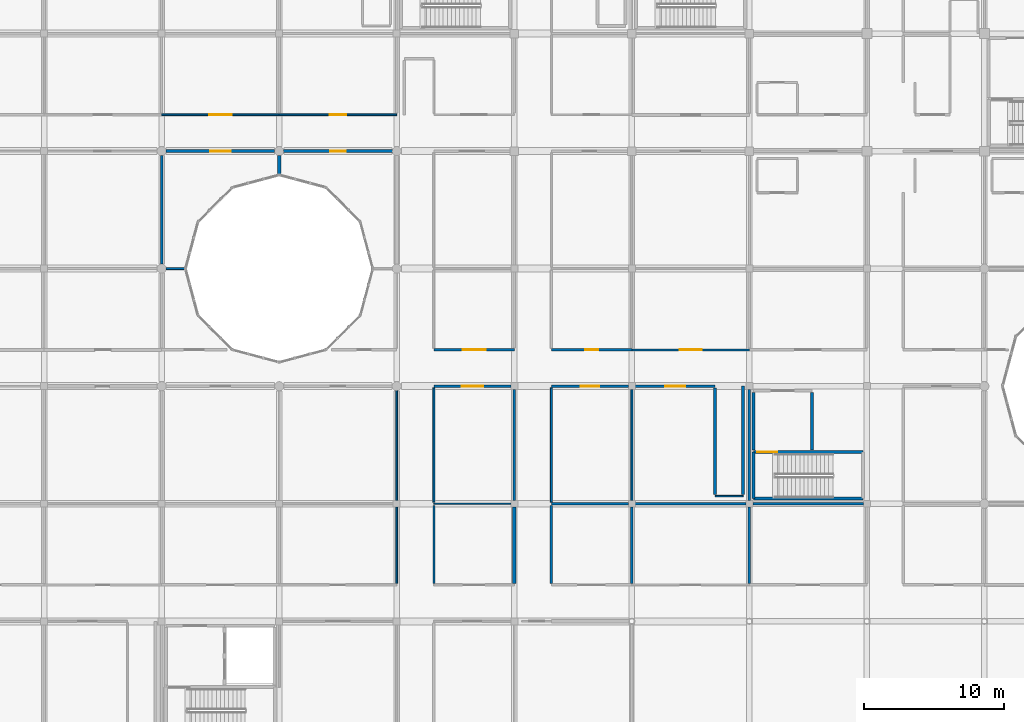
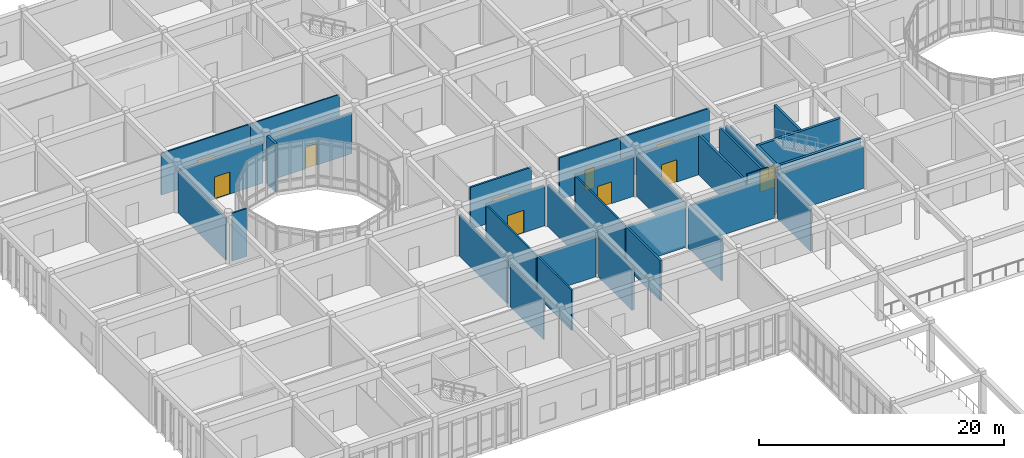
# One storey, part 97 of 134: 37 walls, 11 doors, 11 openings.
"""IFC4 building model written with IfcOpenShell, lengths in metres."""

from ifc_helpers import new_model, si_unit, direction, frame, frame_2d, origin, place, context, subcontext, project, spatial, rectangle, extrude, material, layer, layer_set, type_object, element, fill, save


model = new_model("IFC4")

# Units and contexts
model_context = context("Model", 3, precision=1e-05, world=origin(), true_north=direction((0.0, 1.0)))
body_context = subcontext(model_context, "Body", "Model", "MODEL_VIEW")
ifc_project = project(units=[si_unit("LENGTHUNIT", "METRE"), si_unit("AREAUNIT", "SQUARE_METRE"), si_unit("VOLUMEUNIT", "CUBIC_METRE"), si_unit("PLANEANGLEUNIT", "RADIAN"), si_unit("MASSUNIT", "GRAM", prefix="KILO")], contexts=[model_context])

# Site, building, storey
site_placement = place(None, origin())
site = spatial("IfcSite", under=ifc_project, at=site_placement, CompositionType="ELEMENT")
building_placement = place(site_placement, origin())
building = spatial("IfcBuilding", under=site, at=building_placement, Name="Bramfleet General Hospital", CompositionType="ELEMENT")
storey_placement = place(building_placement, frame((0.0, 0.0, 9.300048828125)))
storey = spatial("IfcBuildingStorey", under=building, at=storey_placement, Name="L02", CompositionType="ELEMENT", Elevation=9.300048828125)

# Wall, opening, door
ifc_material_1 = material(Name="Concrete C35/45", Category="concrete")
ifc_layer_1 = layer(ifc_material_1, 0.219970703125, Name="WT-IW-01")
ifc_layer_set_1 = layer_set([ifc_layer_1], Name="Concrete C35/45")
wall_type_1 = type_object("IfcWallType", Name="WT-IW-01", PredefinedType="PARTITIONING", material=ifc_layer_set_1)
wall_1_placement = place(storey_placement, frame((17.1201171875, 92.39990234375, 0.0), z_axis=(0.0, 0.0, 1.0), x_axis=(1.0, 0.0, 0.0)))
wall_1 = element("IfcWall", 1, at=wall_1_placement, inside=storey, type_object=wall_type_1, Name="L02 Interior Partition IW-L02-2077", PredefinedType="PARTITIONING", context=body_context, shape_type="SweptSolid", body=[
    extrude(rectangle(XDim=7.759765625, YDim=0.219970703125, at=frame_2d((3.8798828125, 0.0))), origin(), (0.0, 0.0, 1.0), 4.02001953125),
])
opening_1_placement = place(wall_1_placement, frame((3.155029296875, 0.0, 0.0)))
opening_1 = element("IfcOpeningElement", 2, at=opening_1_placement, cuts=wall_1, Name="Opening D0867", PredefinedType="OPENING", context=body_context, shape_type="SweptSolid", body=[
    extrude(rectangle(XDim=1.449951171875, YDim=2.199951171875, at=frame_2d((0.72509765625, 1.10009765625))), frame((0.0, 0.119873046875, 0.0), z_axis=(0.0, -1.0, 0.0), x_axis=(1.0, 0.0, 0.0)), (0.0, 0.0, 1.0), 0.239990234375),
])
ifc_material_2 = material(Name="Stainless steel and acoustic timber leaf", Category="steel")
door_type_1 = type_object("IfcDoorType", Name="DR-D-03", OperationType="NOTDEFINED", PredefinedType="DOOR", material=ifc_material_2)
door_1_placement = place(opening_1_placement, origin())
door_1 = element("IfcDoor", 3, at=door_1_placement, inside=storey, type_object=door_type_1, Name="Courtyard Waiting Lounge L02-0210 Door D0867", OperationType="SINGLE_SWING_RIGHT", OverallHeight=2.199951171875, OverallWidth=1.449951171875, PredefinedType="DOOR", context=body_context, shape_type="SweptSolid", body=[
    extrude(rectangle(XDim=1.449951171875, YDim=2.199951171875, at=frame_2d((0.72509765625, 1.10009765625))), frame((0.0, 0.02490234375, 0.0), z_axis=(0.0, -1.0, 0.0), x_axis=(1.0, 0.0, 0.0)), (0.0, 0.0, 1.0), 0.050048828125),
])
fill(opening_1, door_1)

# Walls
wall_2_placement = place(storey_placement, frame((25.199951171875, 90.699951171875, 0.0), z_axis=(0.0, 0.0, 1.0), x_axis=(0.0, 1.0, 0.0)))
element("IfcWall", 4, at=wall_2_placement, inside=storey, type_object=wall_type_1, Name="L02 Interior Partition IW-L02-2221", PredefinedType="PARTITIONING", context=body_context, shape_type="SweptSolid", body=[
    extrude(rectangle(XDim=1.380126953125, YDim=0.219970703125, at=frame_2d((0.68994140625, 0.0))), origin(), (0.0, 0.0, 1.0), 4.77001953125),
])
wall_3_placement = place(storey_placement, frame((42.0, 61.514892578125, 0.0), z_axis=(0.0, 0.0, 1.0), x_axis=(0.0, 1.0, 0.0)))
element("IfcWall", 5, at=wall_3_placement, inside=storey, type_object=wall_type_1, Name="L02 Interior Partition IW-L02-2245", PredefinedType="PARTITIONING", context=body_context, shape_type="SweptSolid", body=[
    extrude(rectangle(XDim=5.440185546875, YDim=0.219970703125, at=frame_2d((2.72021484375, 0.0))), origin(), (0.0, 0.0, 1.0), 4.169921875),
])
ifc_layer_2 = layer(ifc_material_1, 0.205078125, Name="WT-IW-02")
ifc_layer_set_2 = layer_set([ifc_layer_2], Name="Concrete C35/45")
wall_type_2 = type_object("IfcWallType", Name="WT-IW-02", PredefinedType="PARTITIONING", material=ifc_layer_set_2)
wall_4_placement = place(storey_placement, frame((63.280029296875, 71.0400390625, 0.0), z_axis=(0.0, 0.0, 1.0), x_axis=(0.0, 1.0, 0.0)))
element("IfcWall", 6, at=wall_4_placement, inside=storey, type_object=wall_type_2, Name="L02 C13 Lobby East Shaft Wall", PredefinedType="PARTITIONING", context=body_context, shape_type="SweptSolid", body=[
    extrude(rectangle(XDim=4.119873046875, YDim=0.205078125, at=frame_2d((2.06005859375, 0.0))), origin(), (0.0, 0.0, 1.0), 4.77001953125),
])
wall_5_placement = place(storey_placement, frame((59.10009765625, 71.0400390625, 0.0), z_axis=(0.0, 0.0, 1.0), x_axis=(0.0, 1.0, 0.0)))
element("IfcWall", 7, at=wall_5_placement, inside=storey, type_object=wall_type_2, Name="L02 C13 Lobby West Compartment Wall", PredefinedType="PARTITIONING", context=body_context, shape_type="SweptSolid", body=[
    extrude(rectangle(XDim=4.119873046875, YDim=0.205078125, at=frame_2d((2.06005859375, 0.0))), origin(), (0.0, 0.0, 1.0), 4.169921875),
])
wall_6_placement = place(storey_placement, frame((50.64501953125, 67.199951171875, 0.0), z_axis=(0.0, 0.0, 1.0), x_axis=(1.0, 0.0, 0.0)))
element("IfcWall", 8, at=wall_6_placement, inside=storey, type_object=wall_type_2, Name="L02 Interior Partition IW-L02-2006", PredefinedType="PARTITIONING", context=body_context, shape_type="SweptSolid", body=[
    extrude(rectangle(XDim=7.909912109375, YDim=0.205078125, at=frame_2d((3.955078125, 0.0))), origin(), (0.0, 0.0, 1.0), 4.02001953125),
])

# Wall, opening, door
wall_7_placement = place(storey_placement, frame((25.52001953125, 92.39990234375, 0.0), z_axis=(0.0, 0.0, 1.0), x_axis=(1.0, 0.0, 0.0)))
wall_7 = element("IfcWall", 9, at=wall_7_placement, inside=storey, type_object=wall_type_2, Name="L02 Interior Partition IW-L02-2078", PredefinedType="PARTITIONING", context=body_context, shape_type="SweptSolid", body=[
    extrude(rectangle(XDim=7.760009765625, YDim=0.205078125, at=frame_2d((3.8798828125, 0.0))), origin(), (0.0, 0.0, 1.0), 4.02001953125),
])
opening_2_placement = place(wall_7_placement, frame((3.330078125, 0.0, 0.0)))
opening_2 = element("IfcOpeningElement", 10, at=opening_2_placement, cuts=wall_7, Name="Opening D0875", PredefinedType="OPENING", context=body_context, shape_type="SweptSolid", body=[
    extrude(rectangle(XDim=1.10009765625, YDim=2.14990234375, at=frame_2d((0.550048828125, 1.074951171875))), frame((0.0, 0.112548828125, 0.0), z_axis=(0.0, -1.0, 0.0), x_axis=(1.0, 0.0, 0.0)), (0.0, 0.0, 1.0), 0.22509765625),
])
door_type_2 = type_object("IfcDoorType", Name="DR-D-11", OperationType="NOTDEFINED", PredefinedType="DOOR", material=ifc_material_2)
door_2_placement = place(opening_2_placement, origin())
door_2 = element("IfcDoor", 11, at=door_2_placement, inside=storey, type_object=door_type_2, Name="Courtyard Waiting Lounge L02-0310 Door D0875", OperationType="SINGLE_SWING_RIGHT", OverallHeight=2.14990234375, OverallWidth=1.10009765625, PredefinedType="DOOR", context=body_context, shape_type="SweptSolid", body=[
    extrude(rectangle(XDim=1.10009765625, YDim=2.14990234375, at=frame_2d((0.550048828125, 1.074951171875))), frame((0.0, 0.02490234375, 0.0), z_axis=(0.0, -1.0, 0.0), x_axis=(1.0, 0.0, 0.0)), (0.0, 0.0, 1.0), 0.050048828125),
])
fill(opening_2, door_2)

# Walls
wall_8_placement = place(storey_placement, frame((42.0, 67.445068359375, 0.0), z_axis=(0.0, 0.0, 1.0), x_axis=(0.0, 1.0, 0.0)))
element("IfcWall", 12, at=wall_8_placement, inside=storey, type_object=wall_type_2, Name="L02 Interior Partition IW-L02-2246", PredefinedType="PARTITIONING", context=body_context, shape_type="SweptSolid", body=[
    extrude(rectangle(XDim=7.909912109375, YDim=0.205078125, at=frame_2d((3.955078125, 0.0))), origin(), (0.0, 0.0, 1.0), 4.169921875),
])
wall_9_placement = place(storey_placement, frame((56.35009765625, 67.864990234375, 0.0), z_axis=(0.0, 0.0, 1.0), x_axis=(0.0, 1.0, 0.0)))
element("IfcWall", 13, at=wall_9_placement, inside=storey, type_object=wall_type_2, Name="L02 Interior Partition IW-L02-2270", PredefinedType="PARTITIONING", context=body_context, shape_type="SweptSolid", body=[
    extrude(rectangle(XDim=7.6201171875, YDim=0.205078125, at=frame_2d((3.81005859375, 0.0))), origin(), (0.0, 0.0, 1.0), 4.02001953125),
])
ifc_layer_3 = layer(ifc_material_1, 0.18994140625, Name="WT-IW-03")
ifc_layer_set_3 = layer_set([ifc_layer_3], Name="Concrete C35/45")
wall_type_3 = type_object("IfcWallType", Name="WT-IW-03", PredefinedType="PARTITIONING", material=ifc_layer_set_3)
wall_10_placement = place(storey_placement, frame((44.64990234375, 67.199951171875, 0.0), z_axis=(0.0, 0.0, 1.0), x_axis=(1.0, 0.0, 0.0)))
element("IfcWall", 14, at=wall_10_placement, inside=storey, type_object=wall_type_3, Name="L02 Interior Partition IW-L02-2005", PredefinedType="PARTITIONING", context=body_context, shape_type="SweptSolid", body=[
    extrude(rectangle(XDim=5.505126953125, YDim=0.18994140625, at=frame_2d((2.75244140625, 0.0))), origin(), (0.0, 0.0, 1.0), 4.02001953125),
])
wall_11_placement = place(storey_placement, frame((44.64990234375, 61.514892578125, 0.0), z_axis=(0.0, 0.0, 1.0), x_axis=(0.0, 1.0, 0.0)))
element("IfcWall", 15, at=wall_11_placement, inside=storey, type_object=wall_type_3, Name="L02 Interior Partition IW-L02-2251", PredefinedType="PARTITIONING", context=body_context, shape_type="SweptSolid", body=[
    extrude(rectangle(XDim=5.570068359375, YDim=0.18994140625, at=frame_2d((2.78515625, 0.0))), origin(), (0.0, 0.0, 1.0), 4.02001953125),
])
wall_12_placement = place(storey_placement, frame((50.39990234375, 61.514892578125, 0.0), z_axis=(0.0, 0.0, 1.0), x_axis=(0.0, 1.0, 0.0)))
element("IfcWall", 16, at=wall_12_placement, inside=storey, type_object=wall_type_3, Name="L02 Interior Partition IW-L02-2263", PredefinedType="PARTITIONING", context=body_context, shape_type="SweptSolid", body=[
    extrude(rectangle(XDim=5.440185546875, YDim=0.18994140625, at=frame_2d((2.72021484375, 0.0))), origin(), (0.0, 0.0, 1.0), 4.169921875),
])
wall_13_placement = place(storey_placement, frame((58.35009765625, 67.864990234375, 0.0), z_axis=(0.0, 0.0, 1.0), x_axis=(0.0, 1.0, 0.0)))
element("IfcWall", 17, at=wall_13_placement, inside=storey, type_object=wall_type_3, Name="L02 Interior Partition IW-L02-2271", PredefinedType="PARTITIONING", context=body_context, shape_type="SweptSolid", body=[
    extrude(rectangle(XDim=7.735107421875, YDim=0.18994140625, at=frame_2d((3.86767578125, 0.0))), origin(), (0.0, 0.0, 1.0), 4.02001953125),
])
ifc_layer_4 = layer(ifc_material_1, 0.179931640625, Name="WT-IW-04")
ifc_layer_set_4 = layer_set([ifc_layer_4], Name="Concrete C35/45")
wall_type_4 = type_object("IfcWallType", Name="WT-IW-04", PredefinedType="PARTITIONING", material=ifc_layer_set_4)
wall_14_placement = place(storey_placement, frame((59.044921875, 67.199951171875, 0.0), z_axis=(0.0, 0.0, 1.0), x_axis=(1.0, 0.0, 0.0)))
element("IfcWall", 18, at=wall_14_placement, inside=storey, type_object=wall_type_4, Name="L02 Interior Partition IW-L02-2007", PredefinedType="PARTITIONING", context=body_context, shape_type="SweptSolid", body=[
    extrude(rectangle(XDim=7.91015625, YDim=0.179931640625, at=frame_2d((3.955078125, 0.0))), origin(), (0.0, 0.0, 1.0), 4.169921875),
])

# Wall, opening, door
wall_15_placement = place(storey_placement, frame((36.25, 75.60009765625, 0.0), z_axis=(0.0, 0.0, 1.0), x_axis=(1.0, 0.0, 0.0)))
wall_15 = element("IfcWall", 19, at=wall_15_placement, inside=storey, type_object=wall_type_4, Name="L02 Interior Partition IW-L02-2020", PredefinedType="PARTITIONING", context=body_context, shape_type="SweptSolid", body=[
    extrude(rectangle(XDim=5.5048828125, YDim=0.179931640625, at=frame_2d((2.75244140625, 0.0))), origin(), (0.0, 0.0, 1.0), 4.02001953125),
])
opening_3_placement = place(wall_15_placement, frame((1.982421875, 0.0, 0.0)))
opening_3 = element("IfcOpeningElement", 20, at=opening_3_placement, cuts=wall_15, Name="Opening D0881", PredefinedType="OPENING", context=body_context, shape_type="SweptSolid", body=[
    extrude(rectangle(XDim=1.5400390625, YDim=2.239990234375, at=frame_2d((0.77001953125, 1.1201171875))), frame((0.0, 0.099853515625, 0.0), z_axis=(0.0, -1.0, 0.0), x_axis=(1.0, 0.0, 0.0)), (0.0, 0.0, 1.0), 0.199951171875),
])
door_type_3 = type_object("IfcDoorType", Name="DR-D-17", OperationType="NOTDEFINED", PredefinedType="DOOR", material=ifc_material_2)
door_3_placement = place(opening_3_placement, origin())
door_3 = element("IfcDoor", 21, at=door_3_placement, inside=storey, type_object=door_type_3, Name="Post-Anaesthesia Recovery Ward Bay L02-0408 Door D0881", OperationType="SINGLE_SWING_RIGHT", OverallHeight=2.239990234375, OverallWidth=1.5400390625, PredefinedType="DOOR", context=body_context, shape_type="SweptSolid", body=[
    extrude(rectangle(XDim=1.5400390625, YDim=2.239990234375, at=frame_2d((0.77001953125, 1.1201171875))), frame((0.0, 0.02490234375, 0.0), z_axis=(0.0, -1.0, 0.0), x_axis=(1.0, 0.0, 0.0)), (0.0, 0.0, 1.0), 0.050048828125),
])
fill(opening_3, door_3)

# Wall
wall_16_placement = place(storey_placement, frame((58.800048828125, 61.514892578125, 0.0), z_axis=(0.0, 0.0, 1.0), x_axis=(0.0, 1.0, 0.0)))
element("IfcWall", 22, at=wall_16_placement, inside=storey, type_object=wall_type_4, Name="L02 Interior Partition IW-L02-2272", PredefinedType="PARTITIONING", context=body_context, shape_type="SweptSolid", body=[
    extrude(rectangle(XDim=5.440185546875, YDim=0.179931640625, at=frame_2d((2.72021484375, 0.0))), origin(), (0.0, 0.0, 1.0), 4.169921875),
])

# Wall, opening, door
ifc_material_3 = material(Name="Gypsum plasterboard on acoustic steel studs", Category="steel")
ifc_layer_5 = layer(ifc_material_3, 0.169921875, Name="WT-IW-05")
ifc_layer_set_5 = layer_set([ifc_layer_5], Name="Gypsum plasterboard on acoustic steel studs")
wall_type_5 = type_object("IfcWallType", Name="WT-IW-05", PredefinedType="PARTITIONING", material=ifc_layer_set_5)
wall_17_placement = place(storey_placement, frame((44.64990234375, 75.60009765625, 0.0), z_axis=(0.0, 0.0, 1.0), x_axis=(1.0, 0.0, 0.0)))
wall_17 = element("IfcWall", 23, at=wall_17_placement, inside=storey, type_object=wall_type_5, Name="L02 Interior Partition IW-L02-2021", PredefinedType="PARTITIONING", context=body_context, shape_type="SweptSolid", body=[
    extrude(rectangle(XDim=5.505126953125, YDim=0.169921875, at=frame_2d((2.75244140625, 0.0))), origin(), (0.0, 0.0, 1.0), 4.02001953125),
])
opening_4_placement = place(wall_17_placement, frame((2.092529296875, 0.0, 0.0)))
opening_4 = element("IfcOpeningElement", 24, at=opening_4_placement, cuts=wall_17, Name="Opening D0888", PredefinedType="OPENING", context=body_context, shape_type="SweptSolid", body=[
    extrude(rectangle(XDim=1.320068359375, YDim=2.179931640625, at=frame_2d((0.66015625, 1.08984375))), frame((0.0, 0.094970703125, 0.0), z_axis=(0.0, -1.0, 0.0), x_axis=(1.0, 0.0, 0.0)), (0.0, 0.0, 1.0), 0.18994140625),
])
door_type_4 = type_object("IfcDoorType", Name="DR-D-24", OperationType="NOTDEFINED", PredefinedType="DOOR", material=ifc_material_2)
door_4_placement = place(opening_4_placement, origin())
door_4 = element("IfcDoor", 25, at=door_4_placement, inside=storey, type_object=door_type_4, Name="Post-Anaesthesia Recovery Ward Bay L02-0508 Door D0888", OperationType="SINGLE_SWING_LEFT", OverallHeight=2.179931640625, OverallWidth=1.320068359375, PredefinedType="DOOR", context=body_context, shape_type="SweptSolid", body=[
    extrude(rectangle(XDim=1.320068359375, YDim=2.179931640625, at=frame_2d((0.66015625, 1.08984375))), frame((0.0, 0.02490234375, 0.0), z_axis=(0.0, -1.0, 0.0), x_axis=(1.0, 0.0, 0.0)), (0.0, 0.0, 1.0), 0.050048828125),
])
fill(opening_4, door_4)

wall_18_placement = place(storey_placement, frame((36.25, 78.199951171875, 0.0), z_axis=(0.0, 0.0, 1.0), x_axis=(1.0, 0.0, 0.0)))
wall_18 = element("IfcWall", 26, at=wall_18_placement, inside=storey, type_object=wall_type_5, Name="L02 Interior Partition IW-L02-2033", PredefinedType="PARTITIONING", context=body_context, shape_type="SweptSolid", body=[
    extrude(rectangle(XDim=5.75, YDim=0.169921875, at=frame_2d((2.875, 0.0))), origin(), (0.0, 0.0, 1.0), 4.169921875),
])
opening_5_placement = place(wall_18_placement, frame((2.054931640625, 0.0, 0.0)))
opening_5 = element("IfcOpeningElement", 27, at=opening_5_placement, cuts=wall_18, Name="Opening D0882", PredefinedType="OPENING", context=body_context, shape_type="SweptSolid", body=[
    extrude(rectangle(XDim=1.639892578125, YDim=2.280029296875, at=frame_2d((0.81982421875, 1.14013671875))), frame((0.0, 0.094970703125, 0.0), z_axis=(0.0, -1.0, 0.0), x_axis=(1.0, 0.0, 0.0)), (0.0, 0.0, 1.0), 0.18994140625),
])
door_type_5 = type_object("IfcDoorType", Name="DR-D-18", OperationType="NOTDEFINED", PredefinedType="DOOR", material=ifc_material_2)
door_5_placement = place(opening_5_placement, origin())
door_5 = element("IfcDoor", 28, at=door_5_placement, inside=storey, type_object=door_type_5, Name="Post-Anaesthesia Recovery Ward Bay L02-0409 Door D0882", OperationType="DOUBLE_SWING_LEFT", OverallHeight=2.280029296875, OverallWidth=1.639892578125, PredefinedType="DOOR", context=body_context, shape_type="SweptSolid", body=[
    extrude(rectangle(XDim=1.639892578125, YDim=2.280029296875, at=frame_2d((0.81982421875, 1.14013671875))), frame((0.0, 0.02490234375, 0.0), z_axis=(0.0, -1.0, 0.0), x_axis=(1.0, 0.0, 0.0)), (0.0, 0.0, 1.0), 0.050048828125),
])
fill(opening_5, door_5)

# Wall
wall_19_placement = place(storey_placement, frame((58.800048828125, 67.445068359375, 0.0), z_axis=(0.0, 0.0, 1.0), x_axis=(0.0, 1.0, 0.0)))
element("IfcWall", 29, at=wall_19_placement, inside=storey, type_object=wall_type_5, Name="L02 Interior Partition IW-L02-2273", PredefinedType="PARTITIONING", context=body_context, shape_type="SweptSolid", body=[
    extrude(rectangle(XDim=7.909912109375, YDim=0.169921875, at=frame_2d((3.955078125, 0.0))), origin(), (0.0, 0.0, 1.0), 4.169921875),
])

# Wall, opening, door
ifc_layer_6 = layer(ifc_material_3, 0.159912109375, Name="WT-IW-06")
ifc_layer_set_6 = layer_set([ifc_layer_6], Name="Gypsum plasterboard on acoustic steel studs")
wall_type_6 = type_object("IfcWallType", Name="WT-IW-06", PredefinedType="PARTITIONING", material=ifc_layer_set_6)
wall_20_placement = place(storey_placement, frame((50.64501953125, 75.60009765625, 0.0), z_axis=(0.0, 0.0, 1.0), x_axis=(1.0, 0.0, 0.0)))
wall_20 = element("IfcWall", 30, at=wall_20_placement, inside=storey, type_object=wall_type_6, Name="L02 Interior Partition IW-L02-2022", PredefinedType="PARTITIONING", context=body_context, shape_type="SweptSolid", body=[
    extrude(rectangle(XDim=5.705078125, YDim=0.159912109375, at=frame_2d((2.8525390625, 0.0))), origin(), (0.0, 0.0, 1.0), 4.02001953125),
])
opening_6_placement = place(wall_20_placement, frame((2.142578125, 0.0, 0.0)))
opening_6 = element("IfcOpeningElement", 31, at=opening_6_placement, cuts=wall_20, Name="Opening D0895", PredefinedType="OPENING", context=body_context, shape_type="SweptSolid", body=[
    extrude(rectangle(XDim=1.419921875, YDim=2.219970703125, at=frame_2d((0.7099609375, 1.10986328125))), frame((0.0, 0.08984375, 0.0), z_axis=(0.0, -1.0, 0.0), x_axis=(1.0, 0.0, 0.0)), (0.0, 0.0, 1.0), 0.179931640625),
])
door_type_6 = type_object("IfcDoorType", Name="DR-D-31", OperationType="NOTDEFINED", PredefinedType="DOOR", material=ifc_material_2)
door_6_placement = place(opening_6_placement, origin())
door_6 = element("IfcDoor", 32, at=door_6_placement, inside=storey, type_object=door_type_6, Name="Post-Anaesthesia Recovery Ward Bay L02-0608 Door D0895", OperationType="SINGLE_SWING_RIGHT", OverallHeight=2.219970703125, OverallWidth=1.419921875, PredefinedType="DOOR", context=body_context, shape_type="SweptSolid", body=[
    extrude(rectangle(XDim=1.419921875, YDim=2.219970703125, at=frame_2d((0.7099609375, 1.10986328125))), frame((0.0, 0.02490234375, 0.0), z_axis=(0.0, -1.0, 0.0), x_axis=(1.0, 0.0, 0.0)), (0.0, 0.0, 1.0), 0.050048828125),
])
fill(opening_6, door_6)

wall_21_placement = place(storey_placement, frame((44.64990234375, 78.199951171875, 0.0), z_axis=(0.0, 0.0, 1.0), x_axis=(1.0, 0.0, 0.0)))
wall_21 = element("IfcWall", 33, at=wall_21_placement, inside=storey, type_object=wall_type_6, Name="L02 Interior Partition IW-L02-2034", PredefinedType="PARTITIONING", context=body_context, shape_type="SweptSolid", body=[
    extrude(rectangle(XDim=5.75, YDim=0.159912109375, at=frame_2d((2.875, 0.0))), origin(), (0.0, 0.0, 1.0), 4.169921875),
])
opening_7_placement = place(wall_21_placement, frame((2.4150390625, 0.0, 0.0)))
opening_7 = element("IfcOpeningElement", 34, at=opening_7_placement, cuts=wall_21, Name="Opening D0889", PredefinedType="OPENING", context=body_context, shape_type="SweptSolid", body=[
    extrude(rectangle(XDim=0.919921875, YDim=2.080078125, at=frame_2d((0.4599609375, 1.0400390625))), frame((0.0, 0.08984375, 0.0), z_axis=(0.0, -1.0, 0.0), x_axis=(1.0, 0.0, 0.0)), (0.0, 0.0, 1.0), 0.179931640625),
])
door_type_7 = type_object("IfcDoorType", Name="DR-D-25", OperationType="NOTDEFINED", PredefinedType="DOOR", material=ifc_material_2)
door_7_placement = place(opening_7_placement, origin())
door_7 = element("IfcDoor", 35, at=door_7_placement, inside=storey, type_object=door_type_7, Name="Post-Anaesthesia Recovery Ward Bay L02-0509 Door D0889", OperationType="SINGLE_SWING_RIGHT", OverallHeight=2.080078125, OverallWidth=0.919921875, PredefinedType="DOOR", context=body_context, shape_type="SweptSolid", body=[
    extrude(rectangle(XDim=0.919921875, YDim=2.080078125, at=frame_2d((0.4599609375, 1.0400390625))), frame((0.0, 0.02490234375, 0.0), z_axis=(0.0, -1.0, 0.0), x_axis=(1.0, 0.0, 0.0)), (0.0, 0.0, 1.0), 0.050048828125),
])
fill(opening_7, door_7)

# Wall
wall_22_placement = place(storey_placement, frame((16.800048828125, 84.320068359375, 0.0), z_axis=(0.0, 0.0, 1.0), x_axis=(0.0, 1.0, 0.0)))
element("IfcWall", 36, at=wall_22_placement, inside=storey, type_object=wall_type_6, Name="L02 Interior Partition IW-L02-2214", PredefinedType="PARTITIONING", context=body_context, shape_type="SweptSolid", body=[
    extrude(rectangle(XDim=7.760009765625, YDim=0.159912109375, at=frame_2d((3.8798828125, 0.0))), origin(), (0.0, 0.0, 1.0), 4.169921875),
])

# Wall, opening, door
ifc_layer_7 = layer(ifc_material_3, 0.14990234375, Name="WT-IW-07")
ifc_layer_set_7 = layer_set([ifc_layer_7], Name="Gypsum plasterboard on acoustic steel studs")
wall_type_7 = type_object("IfcWallType", Name="WT-IW-07", PredefinedType="PARTITIONING", material=ifc_layer_set_7)
wall_23_placement = place(storey_placement, frame((50.39990234375, 78.199951171875, 0.0), z_axis=(0.0, 0.0, 1.0), x_axis=(1.0, 0.0, 0.0)))
wall_23 = element("IfcWall", 37, at=wall_23_placement, inside=storey, type_object=wall_type_7, Name="L02 Interior Partition IW-L02-2035", PredefinedType="PARTITIONING", context=body_context, shape_type="SweptSolid", body=[
    extrude(rectangle(XDim=8.400146484375, YDim=0.14990234375, at=frame_2d((4.2001953125, 0.0))), origin(), (0.0, 0.0, 1.0), 4.169921875),
])
opening_8_placement = place(wall_23_placement, frame((3.409912109375, 0.0, 0.0)))
opening_8 = element("IfcOpeningElement", 38, at=opening_8_placement, cuts=wall_23, Name="Opening D0896", PredefinedType="OPENING", context=body_context, shape_type="SweptSolid", body=[
    extrude(rectangle(XDim=1.580078125, YDim=2.219970703125, at=frame_2d((0.7900390625, 1.10986328125))), frame((0.0, 0.0849609375, 0.0), z_axis=(0.0, -1.0, 0.0), x_axis=(1.0, 0.0, 0.0)), (0.0, 0.0, 1.0), 0.169921875),
])
door_type_8 = type_object("IfcDoorType", Name="DR-D-32", OperationType="NOTDEFINED", PredefinedType="DOOR", material=ifc_material_2)
door_8_placement = place(opening_8_placement, origin())
door_8 = element("IfcDoor", 39, at=door_8_placement, inside=storey, type_object=door_type_8, Name="Post-Anaesthesia Recovery Ward Bay L02-0609 Door D0896", OperationType="DOUBLE_SWING_LEFT", OverallHeight=2.219970703125, OverallWidth=1.580078125, PredefinedType="DOOR", context=body_context, shape_type="SweptSolid", body=[
    extrude(rectangle(XDim=1.580078125, YDim=2.219970703125, at=frame_2d((0.7900390625, 1.10986328125))), frame((0.0, 0.02490234375, 0.0), z_axis=(0.0, -1.0, 0.0), x_axis=(1.0, 0.0, 0.0)), (0.0, 0.0, 1.0), 0.050048828125),
])
fill(opening_8, door_8)

# Walls
wall_24_placement = place(storey_placement, frame((36.25, 61.514892578125, 0.0), z_axis=(0.0, 0.0, 1.0), x_axis=(0.0, 1.0, 0.0)))
element("IfcWall", 40, at=wall_24_placement, inside=storey, type_object=wall_type_7, Name="L02 Interior Partition IW-L02-2239", PredefinedType="PARTITIONING", context=body_context, shape_type="SweptSolid", body=[
    extrude(rectangle(XDim=5.570068359375, YDim=0.14990234375, at=frame_2d((2.78515625, 0.0))), origin(), (0.0, 0.0, 1.0), 4.02001953125),
])
ifc_layer_8 = layer(ifc_material_3, 0.139892578125, Name="WT-IW-08")
ifc_layer_set_8 = layer_set([ifc_layer_8], Name="Gypsum plasterboard on acoustic steel studs")
wall_type_8 = type_object("IfcWallType", Name="WT-IW-08", PredefinedType="PARTITIONING", material=ifc_layer_set_8)
wall_25_placement = place(storey_placement, frame((17.1201171875, 84.0, 0.0), z_axis=(0.0, 0.0, 1.0), x_axis=(1.0, 0.0, 0.0)))
element("IfcWall", 41, at=wall_25_placement, inside=storey, type_object=wall_type_8, Name="L02 Interior Partition IW-L02-2048", PredefinedType="PARTITIONING", context=body_context, shape_type="SweptSolid", body=[
    extrude(rectangle(XDim=1.3798828125, YDim=0.139892578125, at=frame_2d((0.68994140625, 0.0))), origin(), (0.0, 0.0, 1.0), 4.77001953125),
])
for number, where, z_axis, x_axis, name in (
    (42, (36.25, 67.31494140625, 0.0), (0.0, 0.0, 1.0), (0.0, 1.0, 0.0), "L02 Interior Partition IW-L02-2240"),
    (43, (44.64990234375, 67.31494140625, 0.0), (0.0, 0.0, 1.0), (0.0, 1.0, 0.0), "L02 Interior Partition IW-L02-2252"),
):
    element("IfcWall", number, at=place(storey_placement, frame(where, z_axis=z_axis, x_axis=x_axis)), inside=storey, type_object=wall_type_8, Name=name, PredefinedType="PARTITIONING", context=body_context, shape_type="SweptSolid", body=[
        extrude(rectangle(XDim=8.170166015625, YDim=0.139892578125, at=frame_2d((4.0849609375, 0.0))), origin(), (0.0, 0.0, 1.0), 4.02001953125),
    ])
wall_26_placement = place(storey_placement, frame((50.39990234375, 67.445068359375, 0.0), z_axis=(0.0, 0.0, 1.0), x_axis=(0.0, 1.0, 0.0)))
element("IfcWall", 44, at=wall_26_placement, inside=storey, type_object=wall_type_8, Name="L02 Interior Partition IW-L02-2264", PredefinedType="PARTITIONING", context=body_context, shape_type="SweptSolid", body=[
    extrude(rectangle(XDim=7.909912109375, YDim=0.139892578125, at=frame_2d((3.955078125, 0.0))), origin(), (0.0, 0.0, 1.0), 4.169921875),
])

# Wall, opening, door
ifc_layer_9 = layer(ifc_material_3, 0.1298828125, Name="WT-IW-09")
ifc_layer_set_9 = layer_set([ifc_layer_9], Name="Gypsum plasterboard on acoustic steel studs")
wall_type_9 = type_object("IfcWallType", Name="WT-IW-09", PredefinedType="PARTITIONING", material=ifc_layer_set_9)
wall_27_placement = place(storey_placement, frame((16.800048828125, 95.0, 0.0), z_axis=(0.0, 0.0, 1.0), x_axis=(1.0, 0.0, 0.0)))
wall_27 = element("IfcWall", 45, at=wall_27_placement, inside=storey, type_object=wall_type_9, Name="L02 Interior Partition IW-L02-2097", PredefinedType="PARTITIONING", context=body_context, shape_type="SweptSolid", body=[
    extrude(rectangle(XDim=8.39990234375, YDim=0.1298828125, at=frame_2d((4.199951171875, 0.0))), origin(), (0.0, 0.0, 1.0), 4.169921875),
])
opening_9_placement = place(wall_27_placement, frame((3.39990234375, 0.0, 0.0)))
opening_9 = element("IfcOpeningElement", 46, at=opening_9_placement, cuts=wall_27, Name="Opening D0868", PredefinedType="OPENING", context=body_context, shape_type="SweptSolid", body=[
    extrude(rectangle(XDim=1.60009765625, YDim=2.25, at=frame_2d((0.800048828125, 1.125))), frame((0.0, 0.074951171875, 0.0), z_axis=(0.0, -1.0, 0.0), x_axis=(1.0, 0.0, 0.0)), (0.0, 0.0, 1.0), 0.14990234375),
])
door_type_9 = type_object("IfcDoorType", Name="DR-D-04", OperationType="NOTDEFINED", PredefinedType="DOOR", material=ifc_material_2)
door_9_placement = place(opening_9_placement, origin())
door_9 = element("IfcDoor", 47, at=door_9_placement, inside=storey, type_object=door_type_9, Name="Post-Anaesthesia Recovery Ward Bay L02-0211 Door D0868", OperationType="DOUBLE_SWING_LEFT", OverallHeight=2.25, OverallWidth=1.60009765625, PredefinedType="DOOR", context=body_context, shape_type="SweptSolid", body=[
    extrude(rectangle(XDim=1.60009765625, YDim=2.25, at=frame_2d((0.800048828125, 1.125))), frame((0.0, 0.02490234375, 0.0), z_axis=(0.0, -1.0, 0.0), x_axis=(1.0, 0.0, 0.0)), (0.0, 0.0, 1.0), 0.050048828125),
])
fill(opening_9, door_9)

ifc_layer_10 = layer(ifc_material_3, 0.1201171875, Name="WT-IW-10")
ifc_layer_set_10 = layer_set([ifc_layer_10], Name="Gypsum plasterboard on acoustic steel studs")
wall_type_10 = type_object("IfcWallType", Name="WT-IW-10", PredefinedType="PARTITIONING", material=ifc_layer_set_10)
wall_28_placement = place(storey_placement, frame((25.199951171875, 95.0, 0.0), z_axis=(0.0, 0.0, 1.0), x_axis=(1.0, 0.0, 0.0)))
wall_28 = element("IfcWall", 48, at=wall_28_placement, inside=storey, type_object=wall_type_10, Name="L02 Interior Partition IW-L02-2098", PredefinedType="PARTITIONING", context=body_context, shape_type="SweptSolid", body=[
    extrude(rectangle(XDim=8.400146484375, YDim=0.1201171875, at=frame_2d((4.2001953125, 0.0))), origin(), (0.0, 0.0, 1.0), 4.169921875),
])
opening_10_placement = place(wall_28_placement, frame((3.625, 0.0, 0.0)))
opening_10 = element("IfcOpeningElement", 49, at=opening_10_placement, cuts=wall_28, Name="Opening D0876", PredefinedType="OPENING", context=body_context, shape_type="SweptSolid", body=[
    extrude(rectangle(XDim=1.14990234375, YDim=2.14990234375, at=frame_2d((0.574951171875, 1.074951171875))), frame((0.0, 0.070068359375, 0.0), z_axis=(0.0, -1.0, 0.0), x_axis=(1.0, 0.0, 0.0)), (0.0, 0.0, 1.0), 0.14013671875),
])
door_type_10 = type_object("IfcDoorType", Name="DR-D-12", OperationType="NOTDEFINED", PredefinedType="DOOR", material=ifc_material_2)
door_10_placement = place(opening_10_placement, origin())
door_10 = element("IfcDoor", 50, at=door_10_placement, inside=storey, type_object=door_type_10, Name="Post-Anaesthesia Recovery Ward Bay L02-0311 Door D0876", OperationType="SINGLE_SWING_LEFT", OverallHeight=2.14990234375, OverallWidth=1.14990234375, PredefinedType="DOOR", context=body_context, shape_type="SweptSolid", body=[
    extrude(rectangle(XDim=1.14990234375, YDim=2.14990234375, at=frame_2d((0.574951171875, 1.074951171875))), frame((0.0, 0.02490234375, 0.0), z_axis=(0.0, -1.0, 0.0), x_axis=(1.0, 0.0, 0.0)), (0.0, 0.0, 1.0), 0.050048828125),
])
fill(opening_10, door_10)

# Walls
wall_29_placement = place(storey_placement, frame((33.60009765625, 61.514892578125, 0.0), z_axis=(0.0, 0.0, 1.0), x_axis=(0.0, 1.0, 0.0)))
element("IfcWall", 51, at=wall_29_placement, inside=storey, type_object=wall_type_10, Name="L02 Interior Partition IW-L02-2230", PredefinedType="PARTITIONING", context=body_context, shape_type="SweptSolid", body=[
    extrude(rectangle(XDim=5.440185546875, YDim=0.1201171875, at=frame_2d((2.72021484375, 0.0))), origin(), (0.0, 0.0, 1.0), 4.169921875),
])
ifc_layer_11 = layer(ifc_material_3, 0.112060546875, Name="WT-IW-11")
ifc_layer_set_11 = layer_set([ifc_layer_11], Name="Gypsum plasterboard on acoustic steel studs")
wall_type_11 = type_object("IfcWallType", Name="WT-IW-11", PredefinedType="PARTITIONING", material=ifc_layer_set_11)
wall_30_placement = place(storey_placement, frame((56.35009765625, 67.75, 0.0), z_axis=(0.0, 0.0, 1.0), x_axis=(1.0, 0.0, 0.0)))
element("IfcWall", 52, at=wall_30_placement, inside=storey, type_object=wall_type_11, Name="L02 Interior Partition IW-L02-2015", PredefinedType="PARTITIONING", context=body_context, shape_type="SweptSolid", body=[
    extrude(rectangle(XDim=2.0, YDim=0.112060546875, at=frame_2d((1.0, 0.0))), origin(), (0.0, 0.0, 1.0), 4.77001953125),
])
wall_31_placement = place(storey_placement, frame((33.60009765625, 67.445068359375, 0.0), z_axis=(0.0, 0.0, 1.0), x_axis=(0.0, 1.0, 0.0)))
element("IfcWall", 53, at=wall_31_placement, inside=storey, type_object=wall_type_11, Name="L02 Interior Partition IW-L02-2231", PredefinedType="PARTITIONING", context=body_context, shape_type="SweptSolid", body=[
    extrude(rectangle(XDim=7.8349609375, YDim=0.112060546875, at=frame_2d((3.91748046875, 0.0))), origin(), (0.0, 0.0, 1.0), 4.169921875),
])
ifc_layer_12 = layer(ifc_material_3, 0.10009765625, Name="WT-IW-12")
ifc_layer_set_12 = layer_set([ifc_layer_12], Name="Gypsum plasterboard on acoustic steel studs")
wall_type_12 = type_object("IfcWallType", Name="WT-IW-12", PredefinedType="PARTITIONING", material=ifc_layer_set_12)
wall_32_placement = place(storey_placement, frame((36.25, 67.199951171875, 0.0), z_axis=(0.0, 0.0, 1.0), x_axis=(1.0, 0.0, 0.0)))
element("IfcWall", 54, at=wall_32_placement, inside=storey, type_object=wall_type_12, Name="L02 Interior Partition IW-L02-2004", PredefinedType="PARTITIONING", context=body_context, shape_type="SweptSolid", body=[
    extrude(rectangle(XDim=5.5048828125, YDim=0.10009765625, at=frame_2d((2.75244140625, 0.0))), origin(), (0.0, 0.0, 1.0), 4.02001953125),
])
ifc_material_4 = material(Name="Concrete C40/50", Category="concrete")
ifc_layer_13 = layer(ifc_material_4, 0.239990234375, Name="WT-SW-240")
ifc_layer_set_13 = layer_set([ifc_layer_13], Name="Concrete C40/50")
wall_type_13 = type_object("IfcWallType", Name="WT-SW-240", PredefinedType="SHEAR", material=ifc_layer_set_13)
wall_33_placement = place(storey_placement, frame((59.10009765625, 67.580078125, 0.0), z_axis=(0.0, 0.0, 1.0), x_axis=(1.0, 0.0, 0.0)))
element("IfcWall", 55, at=wall_33_placement, inside=storey, type_object=wall_type_13, Name="L02 C13 South Stair Shear Wall", PredefinedType="SHEAR", context=body_context, shape_type="SweptSolid", body=[
    extrude(rectangle(XDim=7.81982421875, YDim=0.239990234375, at=frame_2d((3.909912109375, 0.0))), origin(), (0.0, 0.0, 1.0), 4.780029296875),
])
wall_34_placement = place(storey_placement, frame((59.10009765625, 67.580078125, 0.0), z_axis=(0.0, 0.0, 1.0), x_axis=(0.0, 1.0, 0.0)))
element("IfcWall", 56, at=wall_34_placement, inside=storey, type_object=wall_type_13, Name="L02 C13 West Stair Shear Wall", PredefinedType="SHEAR", context=body_context, shape_type="SweptSolid", body=[
    extrude(rectangle(XDim=3.31982421875, YDim=0.239990234375, at=frame_2d((1.659912109375, 0.0))), origin(), (0.0, 0.0, 1.0), 4.780029296875),
])

# Wall, opening, door
wall_35_placement = place(storey_placement, frame((59.10009765625, 70.89990234375, 0.0), z_axis=(0.0, 0.0, 1.0), x_axis=(1.0, 0.0, 0.0)))
wall_35 = element("IfcWall", 57, at=wall_35_placement, inside=storey, type_object=wall_type_13, Name="L02 C13 Stair-Lobby Shear Wall", PredefinedType="SHEAR", context=body_context, shape_type="SweptSolid", body=[
    extrude(rectangle(XDim=7.81982421875, YDim=0.239990234375, at=frame_2d((3.909912109375, 0.0))), origin(), (0.0, 0.0, 1.0), 4.780029296875),
])
opening_11_placement = place(wall_35_placement, frame((0.25, 0.0, 0.0)))
opening_11 = element("IfcOpeningElement", 58, at=opening_11_placement, cuts=wall_35, Name="Opening D0171", PredefinedType="OPENING", context=body_context, shape_type="SweptSolid", body=[
    extrude(rectangle(XDim=1.449951171875, YDim=2.199951171875, at=frame_2d((0.72509765625, 1.10009765625))), frame((0.0, 0.1298828125, 0.0), z_axis=(0.0, -1.0, 0.0), x_axis=(1.0, 0.0, 0.0)), (0.0, 0.0, 1.0), 0.260009765625),
])
door_11_placement = place(opening_11_placement, origin())
door_11 = element("IfcDoor", 59, at=door_11_placement, inside=storey, type_object=door_type_1, Name="L02 C13 Escape Stair Fire Door D0171", OperationType="SINGLE_SWING_RIGHT", OverallHeight=2.199951171875, OverallWidth=1.449951171875, PredefinedType="DOOR", context=body_context, shape_type="SweptSolid", body=[
    extrude(rectangle(XDim=1.449951171875, YDim=2.199951171875, at=frame_2d((0.72509765625, 1.10009765625))), frame((0.0, 0.02490234375, 0.0), z_axis=(0.0, -1.0, 0.0), x_axis=(1.0, 0.0, 0.0)), (0.0, 0.0, 1.0), 0.050048828125),
])
fill(opening_11, door_11)

save(model, "model.ifc")
